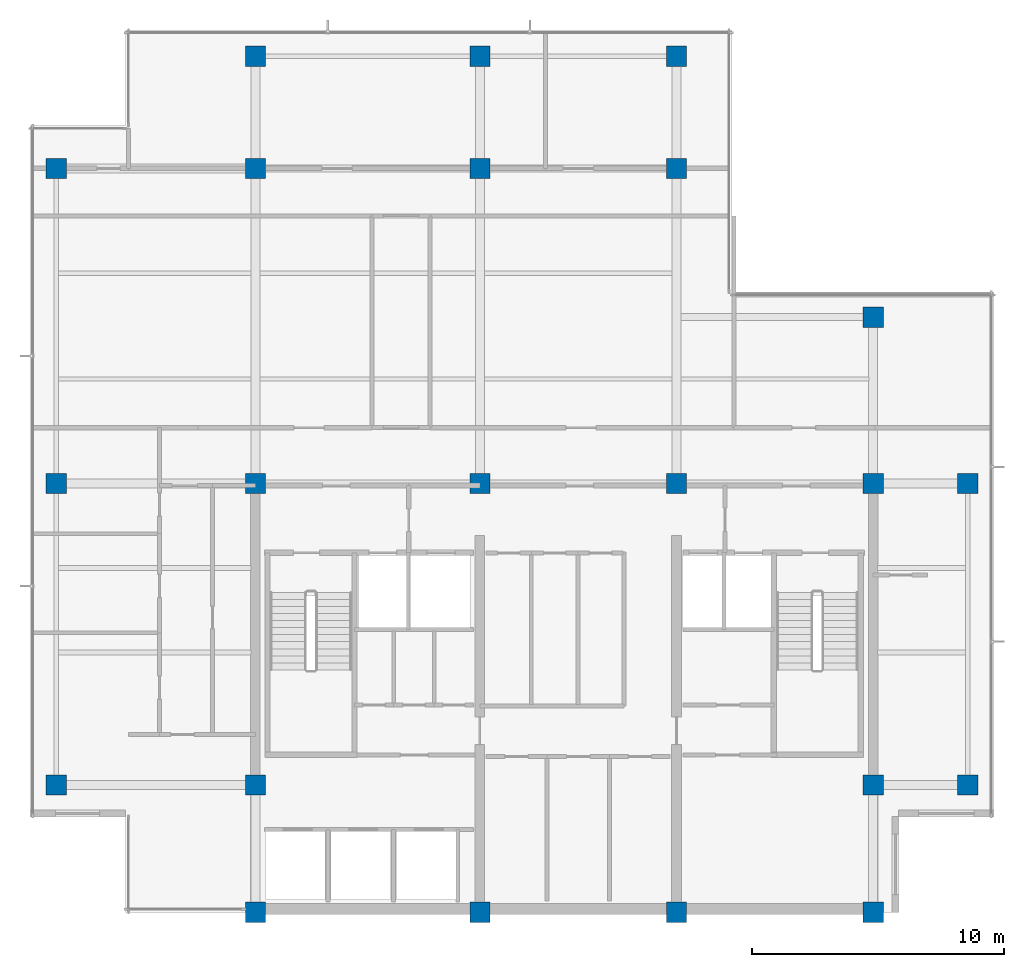
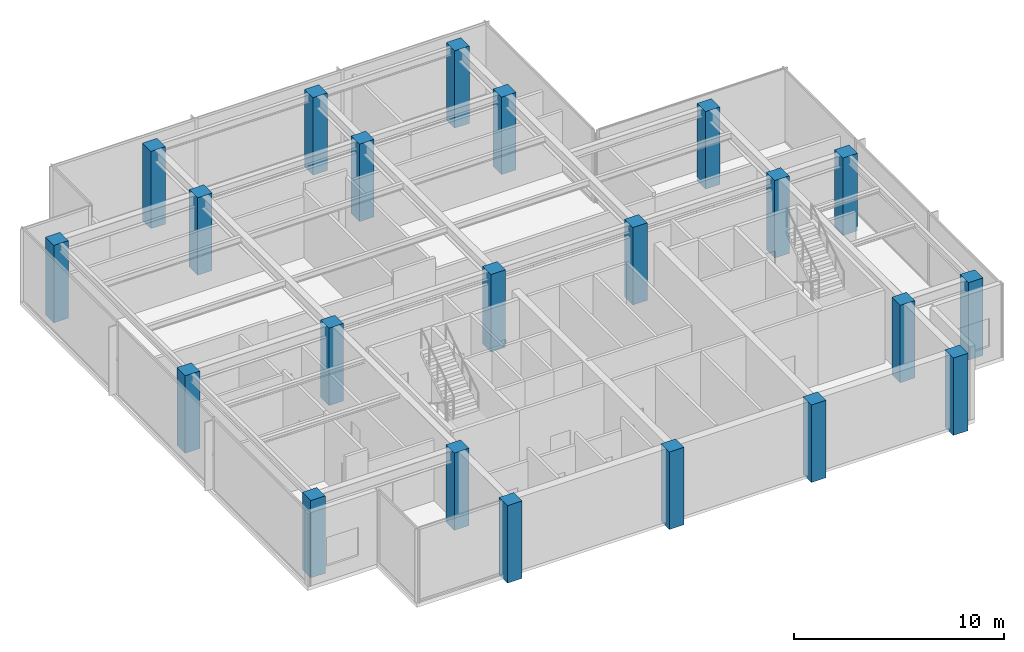
# One storey, part 1 of 11: 22 columns.
"""IFC4 building model written with IfcOpenShell, lengths in metres."""

from ifc_helpers import new_model, si_unit, direction, frame, origin, origin_2d, place, context, subcontext, project, spatial, rectangle, extrude, material, material_profile, profile_set, type_object, element, save


model = new_model("IFC4")

# Units and contexts
model_context = context("Model", 3, precision=1e-05, world=origin(), true_north=direction((0.0, 1.0)))
body_context = subcontext(model_context, "Body", "Model", "MODEL_VIEW")
ifc_project = project(units=[si_unit("LENGTHUNIT", "METRE"), si_unit("AREAUNIT", "SQUARE_METRE"), si_unit("VOLUMEUNIT", "CUBIC_METRE"), si_unit("PLANEANGLEUNIT", "RADIAN"), si_unit("MASSUNIT", "GRAM", prefix="KILO")], contexts=[model_context])

# Site, building, storey
site_placement = place(None, origin())
site = spatial("IfcSite", under=ifc_project, at=site_placement, CompositionType="ELEMENT")
building_placement = place(site_placement, origin())
building = spatial("IfcBuilding", under=site, at=building_placement, Name="Qalmaran Belvedere Hotel", CompositionType="ELEMENT")
storey_placement = place(building_placement, frame((0.0, 0.0, 285.39990234375)))
storey = spatial("IfcBuildingStorey", under=building, at=storey_placement, Name="L74", CompositionType="ELEMENT", Elevation=285.39990234375)

# Columns
ifc_material = material(Name="Concrete C50/60", Category="concrete")
ifc_material_profile = material_profile(ifc_material, rectangle(XDim=0.800048828125, YDim=0.800048828125, at=origin_2d()), Name="CC800X800")
ifc_profile_set = profile_set([ifc_material_profile], Name="Concrete C50/60")
column_type = type_object("IfcColumnType", Name="COL-Z5-CC800", PredefinedType="COLUMN", material=ifc_profile_set)
for number, where, z_axis, x_axis, name in (
    (1, (20.300048828125, 3.5, -0.239990234375), (0.0, 0.0, 1.0), (1.0, 0.0, 0.0), "L74 Column C4B"),
    (2, (29.199951171875, 3.5, -0.239990234375), (0.0, 0.0, 1.0), (1.0, 0.0, 0.0), "L74 Column C5B"),
    (3, (37.0, 3.5, -0.239990234375), (0.0, 0.0, 1.0), (1.0, 0.0, 0.0), "L74 Column C6B"),
    (4, (44.800048828125, 3.5, -0.239990234375), (0.0, 0.0, 1.0), (1.0, 0.0, 0.0), "L74 Column C7B"),
    (5, (20.300048828125, 8.550048828125, -0.239990234375), (0.0, 0.0, 1.0), (1.0, 0.0, 0.0), "L74 Column C4C"),
    (6, (44.800048828125, 8.550048828125, -0.239990234375), (0.0, 0.0, 1.0), (1.0, 0.0, 0.0), "L74 Column C7C"),
    (7, (20.300048828125, 20.5, -0.239990234375), (0.0, 0.0, 1.0), (1.0, 0.0, 0.0), "L74 Column C4D"),
    (8, (29.199951171875, 20.5, -0.239990234375), (0.0, 0.0, 1.0), (1.0, 0.0, 0.0), "L74 Column C5D"),
    (9, (37.0, 20.5, -0.239990234375), (0.0, 0.0, 1.0), (1.0, 0.0, 0.0), "L74 Column C6D"),
    (10, (44.800048828125, 20.5, -0.239990234375), (0.0, 0.0, 1.0), (1.0, 0.0, 0.0), "L74 Column C7D"),
    (11, (20.300048828125, 33.0, -0.239990234375), (0.0, 0.0, 1.0), (1.0, 0.0, 0.0), "L74 Column C4F"),
    (12, (29.199951171875, 33.0, -0.239990234375), (0.0, 0.0, 1.0), (1.0, 0.0, 0.0), "L74 Column C5F"),
    (13, (37.0, 33.0, -0.239990234375), (0.0, 0.0, 1.0), (1.0, 0.0, 0.0), "L74 Column C6F"),
    (14, (44.800048828125, 27.10009765625, -0.239990234375), (0.0, 0.0, 1.0), (1.0, 0.0, 0.0), "L74 Column C7E"),
    (15, (12.39990234375, 8.550048828125, -0.239990234375), (0.0, 0.0, 1.0), (1.0, 0.0, 0.0), "L74 Column CW1"),
    (16, (12.39990234375, 20.5, -0.239990234375), (0.0, 0.0, 1.0), (1.0, 0.0, 0.0), "L74 Column CW3"),
    (17, (12.39990234375, 33.0, -0.239990234375), (0.0, 0.0, 1.0), (1.0, 0.0, 0.0), "L74 Column CW4"),
    (18, (48.550048828125, 8.550048828125, -0.239990234375), (0.0, 0.0, 1.0), (1.0, 0.0, 0.0), "L74 Column CE1"),
    (19, (48.550048828125, 20.5, -0.239990234375), (0.0, 0.0, 1.0), (1.0, 0.0, 0.0), "L74 Column CE3"),
    (20, (20.300048828125, 37.449951171875, -0.239990234375), (0.0, 0.0, 1.0), (1.0, 0.0, 0.0), "L74 Column CN1"),
    (21, (29.199951171875, 37.449951171875, -0.239990234375), (0.0, 0.0, 1.0), (1.0, 0.0, 0.0), "L74 Column CN2"),
    (22, (37.0, 37.449951171875, -0.239990234375), (0.0, 0.0, 1.0), (1.0, 0.0, 0.0), "L74 Column CN3"),
):
    element("IfcColumn", number, at=place(storey_placement, frame(where, z_axis=z_axis, x_axis=x_axis)), inside=storey, type_object=column_type, Name=name, PredefinedType="COLUMN", context=body_context, shape_type="SweptSolid", body=[
        extrude(rectangle(XDim=0.800048828125, YDim=0.800048828125, at=origin_2d()), origin(), (0.0, 0.0, 1.0), 4.5),
    ])

save(model, "model.ifc")
